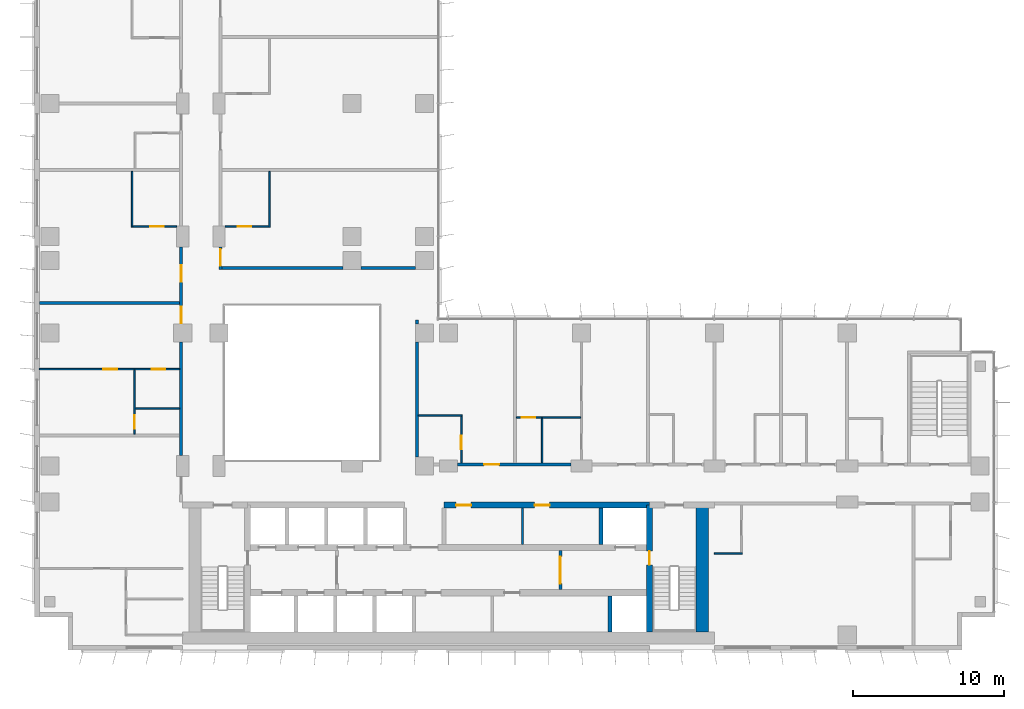
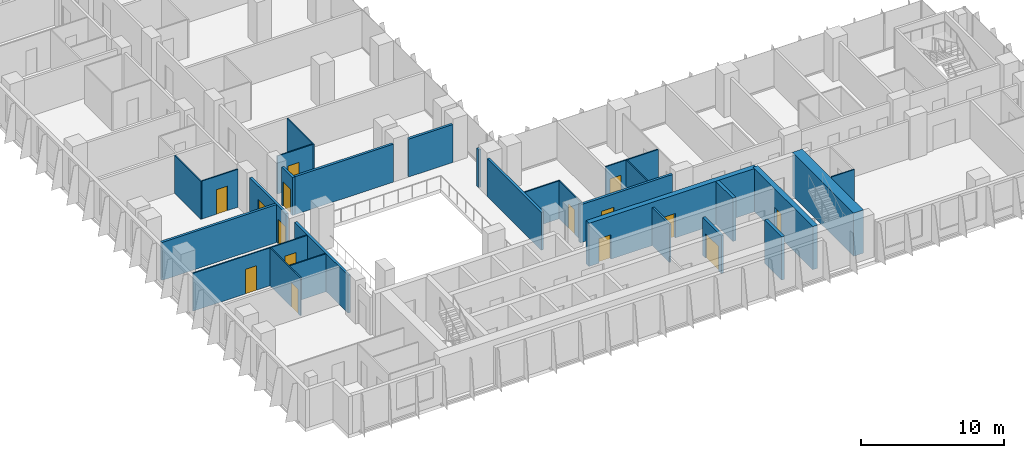
# One storey, part 13 of 22: 28 walls, 15 doors, 15 openings.
"""IFC4 building model written with IfcOpenShell, lengths in metres."""

from ifc_helpers import new_model, si_unit, direction, frame, frame_2d, origin, place, context, subcontext, project, spatial, rectangle, extrude, material, layer, layer_set, type_object, element, fill, save


model = new_model("IFC4")

# Units and contexts
model_context = context("Model", 3, precision=1e-05, world=origin(), true_north=direction((0.0, 1.0)))
body_context = subcontext(model_context, "Body", "Model", "MODEL_VIEW")
ifc_project = project(units=[si_unit("LENGTHUNIT", "METRE"), si_unit("AREAUNIT", "SQUARE_METRE"), si_unit("VOLUMEUNIT", "CUBIC_METRE"), si_unit("PLANEANGLEUNIT", "RADIAN"), si_unit("MASSUNIT", "GRAM", prefix="KILO")], contexts=[model_context])

# Site, building, storey
site_placement = place(None, origin())
site = spatial("IfcSite", under=ifc_project, at=site_placement, CompositionType="ELEMENT")
building_placement = place(site_placement, origin())
building = spatial("IfcBuilding", under=site, at=building_placement, Name="Kemantara Hotel Tower", CompositionType="ELEMENT")
storey_placement = place(building_placement, frame((0.0, 0.0, 149.39990234375)))
storey = spatial("IfcBuildingStorey", under=building, at=storey_placement, Name="L36", CompositionType="ELEMENT", Elevation=149.39990234375)

# Walls
ifc_material_1 = material(Name="Concrete fc 60 MPa", Category="concrete")
ifc_layer_1 = layer(ifc_material_1, 0.25)
ifc_layer_set_1 = layer_set([ifc_layer_1], Name="Concrete fc 60 MPa")
wall_type_1 = type_object("IfcWallType", Name="CORE WALL 250 FC60", PredefinedType="SHEAR", material=ifc_layer_set_1)
wall_1_placement = place(storey_placement, frame((38.10009765625, 1.199951171875, 0.0), z_axis=(0.0, 0.0, 1.0), x_axis=(0.0, 1.0, 0.0)))
element("IfcWall", 1, at=wall_1_placement, inside=storey, type_object=wall_type_1, Name="CORE WALL CW-DS38.1", PredefinedType="SHEAR", context=body_context, shape_type="SweptSolid", body=[
    extrude(rectangle(XDim=2.400146484375, YDim=0.25, at=frame_2d((1.2001953125, 0.0))), origin(), (0.0, 0.0, 1.0), 3.7001953125),
])
wall_2_placement = place(storey_placement, frame((37.5, 7.0, 0.0), z_axis=(0.0, 0.0, 1.0), x_axis=(0.0, 1.0, 0.0)))
element("IfcWall", 2, at=wall_2_placement, inside=storey, type_object=wall_type_1, Name="CORE WALL CW-DN37.5", PredefinedType="SHEAR", context=body_context, shape_type="SweptSolid", body=[
    extrude(rectangle(XDim=2.39990234375, YDim=0.25, at=frame_2d((1.199951171875, 0.0))), origin(), (0.0, 0.0, 1.0), 3.7001953125),
])

# Wall, openings, doors
ifc_layer_2 = layer(ifc_material_1, 0.39990234375)
ifc_layer_set_2 = layer_set([ifc_layer_2], Name="Concrete fc 60 MPa")
wall_type_2 = type_object("IfcWallType", Name="CORE WALL 400 FC60", PredefinedType="SHEAR", material=ifc_layer_set_2)
wall_3_placement = place(storey_placement, frame((27.10009765625, 9.60009765625, 0.0), z_axis=(0.0, 0.0, 1.0), x_axis=(1.0, 0.0, 0.0)))
wall_3 = element("IfcWall", 3, at=wall_3_placement, inside=storey, type_object=wall_type_2, Name="CORE WALL CW-NN2", PredefinedType="SHEAR", context=body_context, shape_type="SweptSolid", body=[
    extrude(rectangle(XDim=13.599853515625, YDim=0.39990234375, at=frame_2d((6.7998046875, 0.0))), origin(), (0.0, 0.0, 1.0), 3.7001953125),
])
opening_1_placement = place(wall_3_placement, frame((0.800048828125, 0.0, 0.0)))
opening_1 = element("IfcOpeningElement", 4, at=opening_1_placement, cuts=wall_3, Name="Opening C23-R-NE1", PredefinedType="OPENING", context=body_context, shape_type="SweptSolid", body=[
    extrude(rectangle(XDim=1.0, YDim=2.10009765625, at=frame_2d((0.5, 1.050048828125))), frame((0.0, 0.2099609375, 0.0), z_axis=(0.0, -1.0, 0.0), x_axis=(1.0, 0.0, 0.0)), (0.0, 0.0, 1.0), 0.419921875),
])
opening_2_placement = place(wall_3_placement, frame((6.0, 0.0, 0.0)))
opening_2 = element("IfcOpeningElement", 5, at=opening_2_placement, cuts=wall_3, Name="Opening C23-R-NE2", PredefinedType="OPENING", context=body_context, shape_type="SweptSolid", body=[
    extrude(rectangle(XDim=1.0, YDim=2.10009765625, at=frame_2d((0.5, 1.050048828125))), frame((0.0, 0.2099609375, 0.0), z_axis=(0.0, -1.0, 0.0), x_axis=(1.0, 0.0, 0.0)), (0.0, 0.0, 1.0), 0.419921875),
])
ifc_material_2 = material(Name="Steel fire door", Category="steel")
door_type_1 = type_object("IfcDoorType", Name="Fire door FD30S 1000 x 2100", OperationType="NOTDEFINED", PredefinedType="DOOR", material=ifc_material_2)
door_1_placement = place(opening_1_placement, frame((1.0, 0.0, 0.0), z_axis=(0.0, 0.0, 1.0), x_axis=(-1.0, 0.0, 0.0)))
door_1 = element("IfcDoor", 6, at=door_1_placement, inside=storey, type_object=door_type_1, Name="Housekeeping Store door", OperationType="SINGLE_SWING_RIGHT", OverallHeight=2.10009765625, OverallWidth=1.0, PredefinedType="DOOR", context=body_context, shape_type="SweptSolid", body=[
    extrude(rectangle(XDim=1.0, YDim=2.10009765625, at=frame_2d((0.5, 1.050048828125))), frame((0.0, 0.02490234375, 0.0), z_axis=(0.0, -1.0, 0.0), x_axis=(1.0, 0.0, 0.0)), (0.0, 0.0, 1.0), 0.050048828125),
])
fill(opening_1, door_1)
door_2_placement = place(opening_2_placement, frame((1.0, 0.0, 0.0), z_axis=(0.0, 0.0, 1.0), x_axis=(-1.0, 0.0, 0.0)))
door_2 = element("IfcDoor", 7, at=door_2_placement, inside=storey, type_object=door_type_1, Name="Staff Lounge door", OperationType="SINGLE_SWING_RIGHT", OverallHeight=2.10009765625, OverallWidth=1.0, PredefinedType="DOOR", context=body_context, shape_type="SweptSolid", body=[
    extrude(rectangle(XDim=1.0, YDim=2.10009765625, at=frame_2d((0.5, 1.050048828125))), frame((0.0, 0.02490234375, 0.0), z_axis=(0.0, -1.0, 0.0), x_axis=(1.0, 0.0, 0.0)), (0.0, 0.0, 1.0), 0.050048828125),
])
fill(opening_2, door_2)

# Wall, opening, door
wall_4_placement = place(storey_placement, frame((40.699951171875, 1.199951171875, 0.0), z_axis=(0.0, 0.0, 1.0), x_axis=(0.0, 1.0, 0.0)))
wall_4 = element("IfcWall", 8, at=wall_4_placement, inside=storey, type_object=wall_type_2, Name="CORE WALL CW-ST2W", PredefinedType="SHEAR", context=body_context, shape_type="SweptSolid", body=[
    extrude(rectangle(XDim=8.400146484375, YDim=0.39990234375, at=frame_2d((4.2001953125, 0.0))), origin(), (0.0, 0.0, 1.0), 3.7001953125),
])
opening_3_placement = place(wall_4_placement, frame((4.449951171875, 0.0, 0.0)))
opening_3 = element("IfcOpeningElement", 9, at=opening_3_placement, cuts=wall_4, Name="Opening C23-ST2-F", PredefinedType="OPENING", context=body_context, shape_type="SweptSolid", body=[
    extrude(rectangle(XDim=0.89990234375, YDim=2.10009765625, at=frame_2d((0.449951171875, 1.050048828125))), frame((0.0, 0.2099609375, 0.0), z_axis=(0.0, -1.0, 0.0), x_axis=(1.0, 0.0, 0.0)), (0.0, 0.0, 1.0), 0.419921875),
])
door_type_2 = type_object("IfcDoorType", Name="Fire door FD90 900 x 2100", OperationType="NOTDEFINED", PredefinedType="DOOR", material=ifc_material_2)
door_3_placement = place(opening_3_placement, frame((0.89990234375, 0.0, 0.0), z_axis=(0.0, 0.0, 1.0), x_axis=(-1.0, 0.0, 0.0)))
door_3 = element("IfcDoor", 10, at=door_3_placement, inside=storey, type_object=door_type_2, Name="Stair ST2 door to firefighting lobby", OperationType="SINGLE_SWING_LEFT", OverallHeight=2.10009765625, OverallWidth=0.89990234375, PredefinedType="DOOR", context=body_context, shape_type="SweptSolid", body=[
    extrude(rectangle(XDim=0.89990234375, YDim=2.10009765625, at=frame_2d((0.449951171875, 1.050048828125))), frame((0.0, 0.02490234375, 0.0), z_axis=(0.0, -1.0, 0.0), x_axis=(1.0, 0.0, 0.0)), (0.0, 0.0, 1.0), 0.050048828125),
])
fill(opening_3, door_3)

# Wall
ifc_layer_3 = layer(ifc_material_1, 0.800048828125)
ifc_layer_set_3 = layer_set([ifc_layer_3], Name="Concrete fc 60 MPa")
wall_type_3 = type_object("IfcWallType", Name="CORE WALL 800 FC60", PredefinedType="SHEAR", material=ifc_layer_set_3)
wall_5_placement = place(storey_placement, frame((44.199951171875, 1.199951171875, 0.0), z_axis=(0.0, 0.0, 1.0), x_axis=(0.0, 1.0, 0.0)))
element("IfcWall", 11, at=wall_5_placement, inside=storey, type_object=wall_type_3, Name="CORE WALL CW-E", PredefinedType="SHEAR", context=body_context, shape_type="SweptSolid", body=[
    extrude(rectangle(XDim=8.60009765625, YDim=0.800048828125, at=frame_2d((4.300048828125, 0.0))), origin(), (0.0, 0.0, 1.0), 3.7001953125),
])

# Wall, opening, door
ifc_material_3 = material(Name="Gypsum board partition, steel studs and mineral wool, 200 mm", Category="steel")
ifc_layer_4 = layer(ifc_material_3, 0.199951171875)
ifc_layer_set_4 = layer_set([ifc_layer_4], Name="Gypsum board partition, steel studs and mineral wool, 200 mm")
wall_type_4 = type_object("IfcWallType", Name="CORRIDOR WALL 200", PredefinedType="PARTITIONING", material=ifc_layer_set_4)
wall_6_placement = place(storey_placement, frame((28.0, 12.300048828125, 0.0), z_axis=(0.0, 0.0, 1.0), x_axis=(1.0, 0.0, 0.0)))
wall_6 = element("IfcWall", 12, at=wall_6_placement, inside=storey, type_object=wall_type_4, Name="CORRIDOR WALL 200 005", PredefinedType="PARTITIONING", context=body_context, shape_type="SweptSolid", body=[
    extrude(rectangle(XDim=7.5, YDim=0.199951171875, at=frame_2d((3.75, 0.0))), origin(), (0.0, 0.0, 1.0), 3.25),
])
opening_4_placement = place(wall_6_placement, frame((1.75, 0.0, 0.0)))
opening_4 = element("IfcOpeningElement", 13, at=opening_4_placement, cuts=wall_6, Name="Opening F16-005", PredefinedType="OPENING", context=body_context, shape_type="SweptSolid", body=[
    extrude(rectangle(XDim=1.0, YDim=2.10009765625, at=frame_2d((0.5, 1.050048828125))), frame((0.0, 0.10986328125, 0.0), z_axis=(0.0, -1.0, 0.0), x_axis=(1.0, 0.0, 0.0)), (0.0, 0.0, 1.0), 0.219970703125),
])
ifc_material_4 = material(Name="Hardwood veneer door leaf with steel frame", Category="steel")
door_type_3 = type_object("IfcDoorType", Name="GUEST ROOM DOOR 1000 X 2100 FD30S", OperationType="NOTDEFINED", PredefinedType="DOOR", material=ifc_material_4)
door_4_placement = place(opening_4_placement, origin())
door_4 = element("IfcDoor", 14, at=door_4_placement, inside=storey, type_object=door_type_3, Name="GUEST ROOM DOOR F16-005", OperationType="SINGLE_SWING_RIGHT", OverallHeight=2.10009765625, OverallWidth=1.0, PredefinedType="DOOR", context=body_context, shape_type="SweptSolid", body=[
    extrude(rectangle(XDim=1.0, YDim=2.10009765625, at=frame_2d((0.5, 1.050048828125))), frame((0.0, 0.02490234375, 0.0), z_axis=(0.0, -1.0, 0.0), x_axis=(1.0, 0.0, 0.0)), (0.0, 0.0, 1.0), 0.050048828125),
])
fill(opening_4, door_4)

# Wall
wall_7_placement = place(storey_placement, frame((9.699951171875, 12.900146484375, 0.0), z_axis=(0.0, 0.0, 1.0), x_axis=(0.0, 1.0, 0.0)))
element("IfcWall", 15, at=wall_7_placement, inside=storey, type_object=wall_type_4, Name="CORRIDOR WALL 200 017", PredefinedType="PARTITIONING", context=body_context, shape_type="SweptSolid", body=[
    extrude(rectangle(XDim=7.499755859375, YDim=0.199951171875, at=frame_2d((3.75, 0.0))), origin(), (0.0, 0.0, 1.0), 3.25),
])

# Wall, openings, doors
wall_8_placement = place(storey_placement, frame((9.699951171875, 21.60009765625, 0.0), z_axis=(0.0, 0.0, 1.0), x_axis=(0.0, 1.0, 0.0)))
wall_8 = element("IfcWall", 16, at=wall_8_placement, inside=storey, type_object=wall_type_4, Name="CORRIDOR WALL 200 018", PredefinedType="PARTITIONING", context=body_context, shape_type="SweptSolid", body=[
    extrude(rectangle(XDim=5.099853515625, YDim=0.199951171875, at=frame_2d((2.5498046875, 0.0))), origin(), (0.0, 0.0, 1.0), 3.25),
])
opening_5_placement = place(wall_8_placement, frame((0.0498046875, 0.0, 0.0)))
opening_5 = element("IfcOpeningElement", 17, at=opening_5_placement, cuts=wall_8, Name="Opening F16-023", PredefinedType="OPENING", context=body_context, shape_type="SweptSolid", body=[
    extrude(rectangle(XDim=1.10009765625, YDim=2.10009765625, at=frame_2d((0.550048828125, 1.050048828125))), frame((0.0, 0.10986328125, 0.0), z_axis=(0.0, -1.0, 0.0), x_axis=(1.0, 0.0, 0.0)), (0.0, 0.0, 1.0), 0.219970703125),
])
opening_6_placement = place(wall_8_placement, frame((2.7998046875, 0.0, 0.0)))
opening_6 = element("IfcOpeningElement", 18, at=opening_6_placement, cuts=wall_8, Name="Opening F16-027", PredefinedType="OPENING", context=body_context, shape_type="SweptSolid", body=[
    extrude(rectangle(XDim=1.10009765625, YDim=2.10009765625, at=frame_2d((0.550048828125, 1.050048828125))), frame((0.0, 0.10986328125, 0.0), z_axis=(0.0, -1.0, 0.0), x_axis=(1.0, 0.0, 0.0)), (0.0, 0.0, 1.0), 0.219970703125),
])
door_type_4 = type_object("IfcDoorType", Name="SUITE ENTRANCE DOOR 1100 X 2100 FD30S", OperationType="NOTDEFINED", PredefinedType="DOOR", material=ifc_material_4)
door_5_placement = place(opening_5_placement, origin())
door_5 = element("IfcDoor", 19, at=door_5_placement, inside=storey, type_object=door_type_4, Name="SUITE ENTRANCE DOOR F16-023", OperationType="SINGLE_SWING_RIGHT", OverallHeight=2.10009765625, OverallWidth=1.10009765625, PredefinedType="DOOR", context=body_context, shape_type="SweptSolid", body=[
    extrude(rectangle(XDim=1.10009765625, YDim=2.10009765625, at=frame_2d((0.550048828125, 1.050048828125))), frame((0.0, 0.02490234375, 0.0), z_axis=(0.0, -1.0, 0.0), x_axis=(1.0, 0.0, 0.0)), (0.0, 0.0, 1.0), 0.050048828125),
])
fill(opening_5, door_5)
door_6_placement = place(opening_6_placement, origin())
door_6 = element("IfcDoor", 20, at=door_6_placement, inside=storey, type_object=door_type_4, Name="SUITE ENTRANCE DOOR F16-027", OperationType="SINGLE_SWING_LEFT", OverallHeight=2.10009765625, OverallWidth=1.10009765625, PredefinedType="DOOR", context=body_context, shape_type="SweptSolid", body=[
    extrude(rectangle(XDim=1.10009765625, YDim=2.10009765625, at=frame_2d((0.550048828125, 1.050048828125))), frame((0.0, 0.02490234375, 0.0), z_axis=(0.0, -1.0, 0.0), x_axis=(1.0, 0.0, 0.0)), (0.0, 0.0, 1.0), 0.050048828125),
])
fill(opening_6, door_6)

# Wall, opening, door
wall_9_placement = place(storey_placement, frame((12.300048828125, 26.699951171875, 0.0), z_axis=(0.0, 0.0, 1.0), x_axis=(0.0, -1.0, 0.0)))
wall_9 = element("IfcWall", 21, at=wall_9_placement, inside=storey, type_object=wall_type_4, Name="CORRIDOR WALL 200 032", PredefinedType="PARTITIONING", context=body_context, shape_type="SweptSolid", body=[
    extrude(rectangle(XDim=1.5, YDim=0.199951171875, at=frame_2d((0.75, 0.0))), origin(), (0.0, 0.0, 1.0), 3.25),
])
opening_7_placement = place(wall_9_placement, frame((0.14990234375, 0.0, 0.0)))
opening_7 = element("IfcOpeningElement", 22, at=opening_7_placement, cuts=wall_9, Name="Opening F16-045", PredefinedType="OPENING", context=body_context, shape_type="SweptSolid", body=[
    extrude(rectangle(XDim=1.10009765625, YDim=2.10009765625, at=frame_2d((0.550048828125, 1.050048828125))), frame((0.0, 0.10986328125, 0.0), z_axis=(0.0, -1.0, 0.0), x_axis=(1.0, 0.0, 0.0)), (0.0, 0.0, 1.0), 0.219970703125),
])
door_7_placement = place(opening_7_placement, origin())
door_7 = element("IfcDoor", 23, at=door_7_placement, inside=storey, type_object=door_type_4, Name="SUITE ENTRANCE DOOR F16-045", OperationType="SINGLE_SWING_RIGHT", OverallHeight=2.10009765625, OverallWidth=1.10009765625, PredefinedType="DOOR", context=body_context, shape_type="SweptSolid", body=[
    extrude(rectangle(XDim=1.10009765625, YDim=2.10009765625, at=frame_2d((0.550048828125, 1.050048828125))), frame((0.0, 0.02490234375, 0.0), z_axis=(0.0, -1.0, 0.0), x_axis=(1.0, 0.0, 0.0)), (0.0, 0.0, 1.0), 0.050048828125),
])
fill(opening_7, door_7)

# Walls
ifc_layer_5 = layer(ifc_material_3, 0.199951171875)
ifc_layer_set_5 = layer_set([ifc_layer_5], Name="Gypsum board partition, steel studs and mineral wool, 200 mm")
wall_type_5 = type_object("IfcWallType", Name="GUEST ROOM PARTY WALL 200", PredefinedType="PARTITIONING", material=ifc_layer_set_5)
wall_10_placement = place(storey_placement, frame((25.300048828125, 12.800048828125, 0.0), z_axis=(0.0, 0.0, 1.0), x_axis=(0.0, 1.0, 0.0)))
element("IfcWall", 24, at=wall_10_placement, inside=storey, type_object=wall_type_5, Name="GUEST ROOM PARTY WALL 200 009", PredefinedType="PARTITIONING", context=body_context, shape_type="SweptSolid", body=[
    extrude(rectangle(XDim=7.599853515625, YDim=0.199951171875, at=frame_2d((3.7998046875, 0.0))), origin(), (0.0, 0.0, 1.0), 3.25),
])
wall_11_placement = place(storey_placement, frame((25.300048828125, 21.60009765625, 0.0), z_axis=(0.0, 0.0, 1.0), x_axis=(0.0, 1.0, 0.0)))
element("IfcWall", 25, at=wall_11_placement, inside=storey, type_object=wall_type_5, Name="GUEST ROOM PARTY WALL 200 010", PredefinedType="PARTITIONING", context=body_context, shape_type="SweptSolid", body=[
    extrude(rectangle(XDim=0.27001953125, YDim=0.199951171875, at=frame_2d((0.135009765625, 0.0))), origin(), (0.0, 0.0, 1.0), 3.25),
])
wall_12_placement = place(storey_placement, frame((0.31005859375, 23.0, 0.0), z_axis=(0.0, 0.0, 1.0), x_axis=(1.0, 0.0, 0.0)))
element("IfcWall", 26, at=wall_12_placement, inside=storey, type_object=wall_type_5, Name="GUEST ROOM PARTY WALL 200 026", PredefinedType="PARTITIONING", context=body_context, shape_type="SweptSolid", body=[
    extrude(rectangle(XDim=9.2900390625, YDim=0.199951171875, at=frame_2d((4.64501953125, 0.0))), origin(), (0.0, 0.0, 1.0), 3.25),
])
wall_13_placement = place(storey_placement, frame((12.39990234375, 25.300048828125, 0.0), z_axis=(0.0, 0.0, 1.0), x_axis=(1.0, 0.0, 0.0)))
element("IfcWall", 27, at=wall_13_placement, inside=storey, type_object=wall_type_5, Name="GUEST ROOM PARTY WALL 200 039", PredefinedType="PARTITIONING", context=body_context, shape_type="SweptSolid", body=[
    extrude(rectangle(XDim=8.0, YDim=0.199951171875, at=frame_2d((4.0, 0.0))), origin(), (0.0, 0.0, 1.0), 3.25),
])
wall_14_placement = place(storey_placement, frame((21.60009765625, 25.300048828125, 0.0), z_axis=(0.0, 0.0, 1.0), x_axis=(1.0, 0.0, 0.0)))
element("IfcWall", 28, at=wall_14_placement, inside=storey, type_object=wall_type_5, Name="GUEST ROOM PARTY WALL 200 040", PredefinedType="PARTITIONING", context=body_context, shape_type="SweptSolid", body=[
    extrude(rectangle(XDim=3.599853515625, YDim=0.199951171875, at=frame_2d((1.7998046875, 0.0))), origin(), (0.0, 0.0, 1.0), 3.25),
])
ifc_material_5 = material(Name="Gypsum board partition")
ifc_layer_6 = layer(ifc_material_5, 0.14990234375)
ifc_layer_set_6 = layer_set([ifc_layer_6], Name="Gypsum board partition")
wall_type_6 = type_object("IfcWallType", Name="Gypsum board partition 150 mm", PredefinedType="PARTITIONING", material=ifc_layer_set_6)
wall_15_placement = place(storey_placement, frame((32.300048828125, 7.0, 0.0), z_axis=(0.0, 0.0, 1.0), x_axis=(0.0, 1.0, 0.0)))
element("IfcWall", 29, at=wall_15_placement, inside=storey, type_object=wall_type_6, Name="Core room partition", PredefinedType="PARTITIONING", context=body_context, shape_type="SweptSolid", body=[
    extrude(rectangle(XDim=2.39990234375, YDim=0.14990234375, at=frame_2d((1.199951171875, 0.0))), origin(), (0.0, 0.0, 1.0), 3.25),
])

# Wall, opening, door
ifc_material_6 = material(Name="Gypsum board shaft wall")
ifc_layer_7 = layer(ifc_material_6, 0.199951171875)
ifc_layer_set_7 = layer_set([ifc_layer_7], Name="Gypsum board shaft wall")
wall_type_7 = type_object("IfcWallType", Name="Gypsum board shaft wall 200 mm", PredefinedType="PARTITIONING", material=ifc_layer_set_7)
wall_16_placement = place(storey_placement, frame((34.800048828125, 4.0, 0.0), z_axis=(0.0, 0.0, 1.0), x_axis=(0.0, 1.0, 0.0)))
wall_16 = element("IfcWall", 30, at=wall_16_placement, inside=storey, type_object=wall_type_7, Name="Firefighting lobby partition east", PredefinedType="PARTITIONING", context=body_context, shape_type="SweptSolid", body=[
    extrude(rectangle(XDim=2.60009765625, YDim=0.199951171875, at=frame_2d((1.300048828125, 0.0))), origin(), (0.0, 0.0, 1.0), 3.25),
])
opening_8_placement = place(wall_16_placement, frame((0.39990234375, 0.0, 0.0)))
opening_8 = element("IfcOpeningElement", 31, at=opening_8_placement, cuts=wall_16, Name="Opening C23-FFE", PredefinedType="OPENING", context=body_context, shape_type="SweptSolid", body=[
    extrude(rectangle(XDim=1.800048828125, YDim=2.10009765625, at=frame_2d((0.89990234375, 1.050048828125))), frame((0.0, 0.10986328125, 0.0), z_axis=(0.0, -1.0, 0.0), x_axis=(1.0, 0.0, 0.0)), (0.0, 0.0, 1.0), 0.219970703125),
])
door_type_5 = type_object("IfcDoorType", Name="Fire door pair FD60 1800 x 2100", OperationType="DOUBLE_DOOR_SINGLE_SWING", PredefinedType="DOOR", material=ifc_material_2)
door_8_placement = place(opening_8_placement, frame((1.800048828125, 0.0, 0.0), z_axis=(0.0, 0.0, 1.0), x_axis=(-1.0, 0.0, 0.0)))
door_8 = element("IfcDoor", 32, at=door_8_placement, inside=storey, type_object=door_type_5, Name="Firefighting lobby door east", OperationType="DOUBLE_DOOR_SINGLE_SWING", OverallHeight=2.10009765625, OverallWidth=1.800048828125, PredefinedType="DOOR", context=body_context, shape_type="SweptSolid", body=[
    extrude(rectangle(XDim=1.800048828125, YDim=2.10009765625, at=frame_2d((0.89990234375, 1.050048828125))), frame((0.0, 0.02490234375, 0.0), z_axis=(0.0, -1.0, 0.0), x_axis=(1.0, 0.0, 0.0)), (0.0, 0.0, 1.0), 0.050048828125),
])
fill(opening_8, door_8)

# Walls
ifc_material_7 = material(Name="Gypsum board partition on steel studs, 100 mm", Category="steel")
ifc_layer_8 = layer(ifc_material_7, 0.10009765625)
ifc_layer_set_8 = layer_set([ifc_layer_8], Name="Gypsum board partition on steel studs, 100 mm")
wall_type_8 = type_object("IfcWallType", Name="ROOM PARTITION 100", PredefinedType="PARTITIONING", material=ifc_layer_set_8)
wall_17_placement = place(storey_placement, frame((45.0, 6.39990234375, 0.0), z_axis=(0.0, 0.0, 1.0), x_axis=(1.0, 0.0, 0.0)))
element("IfcWall", 33, at=wall_17_placement, inside=storey, type_object=wall_type_8, Name="ROOM PARTITION 100 045", PredefinedType="PARTITIONING", context=body_context, shape_type="SweptSolid", body=[
    extrude(rectangle(XDim=1.85009765625, YDim=0.10009765625, at=frame_2d((0.925048828125, 0.0))), origin(), (0.0, 0.0, 1.0), 3.25),
])
wall_18_placement = place(storey_placement, frame((25.39990234375, 15.550048828125, 0.0), z_axis=(0.0, 0.0, 1.0), x_axis=(1.0, 0.0, 0.0)))
element("IfcWall", 34, at=wall_18_placement, inside=storey, type_object=wall_type_8, Name="ROOM PARTITION 100 049", PredefinedType="PARTITIONING", context=body_context, shape_type="SweptSolid", body=[
    extrude(rectangle(XDim=2.900146484375, YDim=0.10009765625, at=frame_2d((1.4501953125, 0.0))), origin(), (0.0, 0.0, 1.0), 3.25),
])

# Wall, opening, door
wall_19_placement = place(storey_placement, frame((28.25, 12.39990234375, 0.0), z_axis=(0.0, 0.0, 1.0), x_axis=(0.0, 1.0, 0.0)))
wall_19 = element("IfcWall", 35, at=wall_19_placement, inside=storey, type_object=wall_type_8, Name="ROOM PARTITION 100 050", PredefinedType="PARTITIONING", context=body_context, shape_type="SweptSolid", body=[
    extrude(rectangle(XDim=3.10009765625, YDim=0.10009765625, at=frame_2d((1.550048828125, 0.0))), origin(), (0.0, 0.0, 1.0), 3.25),
])
opening_9_placement = place(wall_19_placement, frame((0.89990234375, 0.0, 0.0)))
opening_9 = element("IfcOpeningElement", 36, at=opening_9_placement, cuts=wall_19, Name="Opening F16-006", PredefinedType="OPENING", context=body_context, shape_type="SweptSolid", body=[
    extrude(rectangle(XDim=0.89990234375, YDim=2.10009765625, at=frame_2d((0.449951171875, 1.050048828125))), frame((0.0, 0.06005859375, 0.0), z_axis=(0.0, -1.0, 0.0), x_axis=(1.0, 0.0, 0.0)), (0.0, 0.0, 1.0), 0.1201171875),
])
door_type_6 = type_object("IfcDoorType", Name="BATHROOM DOOR 900 X 2100", OperationType="NOTDEFINED", PredefinedType="DOOR", material=ifc_material_4)
door_9_placement = place(opening_9_placement, origin())
door_9 = element("IfcDoor", 37, at=door_9_placement, inside=storey, type_object=door_type_6, Name="BATHROOM DOOR F16-006", OperationType="SINGLE_SWING_LEFT", OverallHeight=2.10009765625, OverallWidth=0.89990234375, PredefinedType="DOOR", context=body_context, shape_type="SweptSolid", body=[
    extrude(rectangle(XDim=0.89990234375, YDim=2.10009765625, at=frame_2d((0.449951171875, 1.050048828125))), frame((0.0, 0.02490234375, 0.0), z_axis=(0.0, -1.0, 0.0), x_axis=(1.0, 0.0, 0.0)), (0.0, 0.0, 1.0), 0.050048828125),
])
fill(opening_9, door_9)

wall_20_placement = place(storey_placement, frame((36.14990234375, 15.39990234375, 0.0), z_axis=(0.0, 0.0, 1.0), x_axis=(-1.0, 0.0, 0.0)))
wall_20 = element("IfcWall", 38, at=wall_20_placement, inside=storey, type_object=wall_type_8, Name="ROOM PARTITION 100 051", PredefinedType="PARTITIONING", context=body_context, shape_type="SweptSolid", body=[
    extrude(rectangle(XDim=4.25, YDim=0.10009765625, at=frame_2d((2.125, 0.0))), origin(), (0.0, 0.0, 1.0), 3.25),
])
opening_10_placement = place(wall_20_placement, frame((3.0, 0.0, 0.0)))
opening_10 = element("IfcOpeningElement", 39, at=opening_10_placement, cuts=wall_20, Name="Opening F16-010", PredefinedType="OPENING", context=body_context, shape_type="SweptSolid", body=[
    extrude(rectangle(XDim=0.89990234375, YDim=2.10009765625, at=frame_2d((0.449951171875, 1.050048828125))), frame((0.0, 0.06005859375, 0.0), z_axis=(0.0, -1.0, 0.0), x_axis=(1.0, 0.0, 0.0)), (0.0, 0.0, 1.0), 0.1201171875),
])
door_10_placement = place(opening_10_placement, origin())
door_10 = element("IfcDoor", 40, at=door_10_placement, inside=storey, type_object=door_type_6, Name="BATHROOM DOOR F16-010", OperationType="SINGLE_SWING_LEFT", OverallHeight=2.10009765625, OverallWidth=0.89990234375, PredefinedType="DOOR", context=body_context, shape_type="SweptSolid", body=[
    extrude(rectangle(XDim=0.89990234375, YDim=2.10009765625, at=frame_2d((0.449951171875, 1.050048828125))), frame((0.0, 0.02490234375, 0.0), z_axis=(0.0, -1.0, 0.0), x_axis=(1.0, 0.0, 0.0)), (0.0, 0.0, 1.0), 0.050048828125),
])
fill(opening_10, door_10)

# Wall
wall_21_placement = place(storey_placement, frame((33.60009765625, 12.39990234375, 0.0), z_axis=(0.0, 0.0, 1.0), x_axis=(0.0, 1.0, 0.0)))
element("IfcWall", 41, at=wall_21_placement, inside=storey, type_object=wall_type_8, Name="ROOM PARTITION 100 053", PredefinedType="PARTITIONING", context=body_context, shape_type="SweptSolid", body=[
    extrude(rectangle(XDim=2.9501953125, YDim=0.10009765625, at=frame_2d((1.47509765625, 0.0))), origin(), (0.0, 0.0, 1.0), 3.25),
])

# Wall, opening, door
wall_22_placement = place(storey_placement, frame((6.60009765625, 18.550048828125, 0.0), z_axis=(0.0, 0.0, 1.0), x_axis=(0.0, -1.0, 0.0)))
wall_22 = element("IfcWall", 42, at=wall_22_placement, inside=storey, type_object=wall_type_8, Name="ROOM PARTITION 100 067", PredefinedType="PARTITIONING", context=body_context, shape_type="SweptSolid", body=[
    extrude(rectangle(XDim=4.25, YDim=0.10009765625, at=frame_2d((2.125, 0.0))), origin(), (0.0, 0.0, 1.0), 3.25),
])
opening_11_placement = place(wall_22_placement, frame((3.0, 0.0, 0.0)))
opening_11 = element("IfcOpeningElement", 43, at=opening_11_placement, cuts=wall_22, Name="Opening F16-026", PredefinedType="OPENING", context=body_context, shape_type="SweptSolid", body=[
    extrude(rectangle(XDim=0.89990234375, YDim=2.10009765625, at=frame_2d((0.449951171875, 1.050048828125))), frame((0.0, 0.06005859375, 0.0), z_axis=(0.0, -1.0, 0.0), x_axis=(1.0, 0.0, 0.0)), (0.0, 0.0, 1.0), 0.1201171875),
])
door_11_placement = place(opening_11_placement, origin())
door_11 = element("IfcDoor", 44, at=door_11_placement, inside=storey, type_object=door_type_6, Name="BATHROOM DOOR F16-026", OperationType="SINGLE_SWING_LEFT", OverallHeight=2.10009765625, OverallWidth=0.89990234375, PredefinedType="DOOR", context=body_context, shape_type="SweptSolid", body=[
    extrude(rectangle(XDim=0.89990234375, YDim=2.10009765625, at=frame_2d((0.449951171875, 1.050048828125))), frame((0.0, 0.02490234375, 0.0), z_axis=(0.0, -1.0, 0.0), x_axis=(1.0, 0.0, 0.0)), (0.0, 0.0, 1.0), 0.050048828125),
])
fill(opening_11, door_11)

# Wall, openings, doors
wall_23_placement = place(storey_placement, frame((0.31005859375, 18.60009765625, 0.0), z_axis=(0.0, 0.0, 1.0), x_axis=(1.0, 0.0, 0.0)))
wall_23 = element("IfcWall", 45, at=wall_23_placement, inside=storey, type_object=wall_type_8, Name="ROOM PARTITION 100 070", PredefinedType="PARTITIONING", context=body_context, shape_type="SweptSolid", body=[
    extrude(rectangle(XDim=9.2900390625, YDim=0.10009765625, at=frame_2d((4.64501953125, 0.0))), origin(), (0.0, 0.0, 1.0), 3.25),
])
opening_12_placement = place(wall_23_placement, frame((7.43994140625, 0.0, 0.0)))
opening_12 = element("IfcOpeningElement", 46, at=opening_12_placement, cuts=wall_23, Name="Opening F16-024", PredefinedType="OPENING", context=body_context, shape_type="SweptSolid", body=[
    extrude(rectangle(XDim=0.89990234375, YDim=2.10009765625, at=frame_2d((0.449951171875, 1.050048828125))), frame((0.0, 0.06005859375, 0.0), z_axis=(0.0, -1.0, 0.0), x_axis=(1.0, 0.0, 0.0)), (0.0, 0.0, 1.0), 0.1201171875),
])
opening_13_placement = place(wall_23_placement, frame((4.239990234375, 0.0, 0.0)))
opening_13 = element("IfcOpeningElement", 47, at=opening_13_placement, cuts=wall_23, Name="Opening F16-025", PredefinedType="OPENING", context=body_context, shape_type="SweptSolid", body=[
    extrude(rectangle(XDim=0.89990234375, YDim=2.10009765625, at=frame_2d((0.449951171875, 1.050048828125))), frame((0.0, 0.06005859375, 0.0), z_axis=(0.0, -1.0, 0.0), x_axis=(1.0, 0.0, 0.0)), (0.0, 0.0, 1.0), 0.1201171875),
])
door_type_7 = type_object("IfcDoorType", Name="INTERNAL DOOR 900 X 2100", OperationType="NOTDEFINED", PredefinedType="DOOR", material=ifc_material_4)
door_12_placement = place(opening_13_placement, frame((0.89990234375, 0.0, 0.0), z_axis=(0.0, 0.0, 1.0), x_axis=(-1.0, 0.0, 0.0)))
door_12 = element("IfcDoor", 48, at=door_12_placement, inside=storey, type_object=door_type_7, Name="INTERNAL DOOR F16-025", OperationType="SINGLE_SWING_RIGHT", OverallHeight=2.10009765625, OverallWidth=0.89990234375, PredefinedType="DOOR", context=body_context, shape_type="SweptSolid", body=[
    extrude(rectangle(XDim=0.89990234375, YDim=2.10009765625, at=frame_2d((0.449951171875, 1.050048828125))), frame((0.0, 0.02490234375, 0.0), z_axis=(0.0, -1.0, 0.0), x_axis=(1.0, 0.0, 0.0)), (0.0, 0.0, 1.0), 0.050048828125),
])
fill(opening_13, door_12)
door_type_8 = type_object("IfcDoorType", Name="PANTRY DOOR 900 X 2100", OperationType="NOTDEFINED", PredefinedType="DOOR", material=ifc_material_4)
door_13_placement = place(opening_12_placement, origin())
door_13 = element("IfcDoor", 49, at=door_13_placement, inside=storey, type_object=door_type_8, Name="PANTRY DOOR F16-024", OperationType="SINGLE_SWING_RIGHT", OverallHeight=2.10009765625, OverallWidth=0.89990234375, PredefinedType="DOOR", context=body_context, shape_type="SweptSolid", body=[
    extrude(rectangle(XDim=0.89990234375, YDim=2.10009765625, at=frame_2d((0.449951171875, 1.050048828125))), frame((0.0, 0.02490234375, 0.0), z_axis=(0.0, -1.0, 0.0), x_axis=(1.0, 0.0, 0.0)), (0.0, 0.0, 1.0), 0.050048828125),
])
fill(opening_12, door_13)

# Walls
wall_24_placement = place(storey_placement, frame((6.64990234375, 16.0, 0.0), z_axis=(0.0, 0.0, 1.0), x_axis=(1.0, 0.0, 0.0)))
element("IfcWall", 50, at=wall_24_placement, inside=storey, type_object=wall_type_8, Name="ROOM PARTITION 100 071", PredefinedType="PARTITIONING", context=body_context, shape_type="SweptSolid", body=[
    extrude(rectangle(XDim=2.9501953125, YDim=0.10009765625, at=frame_2d((1.47509765625, 0.0))), origin(), (0.0, 0.0, 1.0), 3.25),
])
wall_25_placement = place(storey_placement, frame((6.449951171875, 28.0, 0.0), z_axis=(0.0, 0.0, 1.0), x_axis=(0.0, 1.0, 0.0)))
element("IfcWall", 51, at=wall_25_placement, inside=storey, type_object=wall_type_8, Name="ROOM PARTITION 100 072", PredefinedType="PARTITIONING", context=body_context, shape_type="SweptSolid", body=[
    extrude(rectangle(XDim=3.699951171875, YDim=0.10009765625, at=frame_2d((1.85009765625, 0.0))), origin(), (0.0, 0.0, 1.0), 3.25),
])

# Wall, opening, door
wall_26_placement = place(storey_placement, frame((6.5, 28.050048828125, 0.0), z_axis=(0.0, 0.0, 1.0), x_axis=(1.0, 0.0, 0.0)))
wall_26 = element("IfcWall", 52, at=wall_26_placement, inside=storey, type_object=wall_type_8, Name="ROOM PARTITION 100 074", PredefinedType="PARTITIONING", context=body_context, shape_type="SweptSolid", body=[
    extrude(rectangle(XDim=2.89990234375, YDim=0.10009765625, at=frame_2d((1.449951171875, 0.0))), origin(), (0.0, 0.0, 1.0), 3.25),
])
opening_14_placement = place(wall_26_placement, frame((1.14990234375, 0.0, 0.0)))
opening_14 = element("IfcOpeningElement", 53, at=opening_14_placement, cuts=wall_26, Name="Opening F16-028", PredefinedType="OPENING", context=body_context, shape_type="SweptSolid", body=[
    extrude(rectangle(XDim=0.89990234375, YDim=2.10009765625, at=frame_2d((0.449951171875, 1.050048828125))), frame((0.0, 0.06005859375, 0.0), z_axis=(0.0, -1.0, 0.0), x_axis=(1.0, 0.0, 0.0)), (0.0, 0.0, 1.0), 0.1201171875),
])
door_14_placement = place(opening_14_placement, origin())
door_14 = element("IfcDoor", 54, at=door_14_placement, inside=storey, type_object=door_type_6, Name="BATHROOM DOOR F16-028", OperationType="SINGLE_SWING_RIGHT", OverallHeight=2.10009765625, OverallWidth=0.89990234375, PredefinedType="DOOR", context=body_context, shape_type="SweptSolid", body=[
    extrude(rectangle(XDim=0.89990234375, YDim=2.10009765625, at=frame_2d((0.449951171875, 1.050048828125))), frame((0.0, 0.02490234375, 0.0), z_axis=(0.0, -1.0, 0.0), x_axis=(1.0, 0.0, 0.0)), (0.0, 0.0, 1.0), 0.050048828125),
])
fill(opening_14, door_14)

wall_27_placement = place(storey_placement, frame((12.60009765625, 28.050048828125, 0.0), z_axis=(0.0, 0.0, 1.0), x_axis=(1.0, 0.0, 0.0)))
wall_27 = element("IfcWall", 55, at=wall_27_placement, inside=storey, type_object=wall_type_8, Name="ROOM PARTITION 100 075", PredefinedType="PARTITIONING", context=body_context, shape_type="SweptSolid", body=[
    extrude(rectangle(XDim=2.89990234375, YDim=0.10009765625, at=frame_2d((1.449951171875, 0.0))), origin(), (0.0, 0.0, 1.0), 3.25),
])
opening_15_placement = place(wall_27_placement, frame((0.849853515625, 0.0, 0.0)))
opening_15 = element("IfcOpeningElement", 56, at=opening_15_placement, cuts=wall_27, Name="Opening F16-046", PredefinedType="OPENING", context=body_context, shape_type="SweptSolid", body=[
    extrude(rectangle(XDim=0.89990234375, YDim=2.10009765625, at=frame_2d((0.449951171875, 1.050048828125))), frame((0.0, 0.06005859375, 0.0), z_axis=(0.0, -1.0, 0.0), x_axis=(1.0, 0.0, 0.0)), (0.0, 0.0, 1.0), 0.1201171875),
])
door_15_placement = place(opening_15_placement, origin())
door_15 = element("IfcDoor", 57, at=door_15_placement, inside=storey, type_object=door_type_6, Name="BATHROOM DOOR F16-046", OperationType="SINGLE_SWING_LEFT", OverallHeight=2.10009765625, OverallWidth=0.89990234375, PredefinedType="DOOR", context=body_context, shape_type="SweptSolid", body=[
    extrude(rectangle(XDim=0.89990234375, YDim=2.10009765625, at=frame_2d((0.449951171875, 1.050048828125))), frame((0.0, 0.02490234375, 0.0), z_axis=(0.0, -1.0, 0.0), x_axis=(1.0, 0.0, 0.0)), (0.0, 0.0, 1.0), 0.050048828125),
])
fill(opening_15, door_15)

# Wall
wall_28_placement = place(storey_placement, frame((15.550048828125, 28.0, 0.0), z_axis=(0.0, 0.0, 1.0), x_axis=(0.0, 1.0, 0.0)))
element("IfcWall", 58, at=wall_28_placement, inside=storey, type_object=wall_type_8, Name="ROOM PARTITION 100 087", PredefinedType="PARTITIONING", context=body_context, shape_type="SweptSolid", body=[
    extrude(rectangle(XDim=3.699951171875, YDim=0.10009765625, at=frame_2d((1.85009765625, 0.0))), origin(), (0.0, 0.0, 1.0), 3.25),
])

save(model, "model.ifc")
